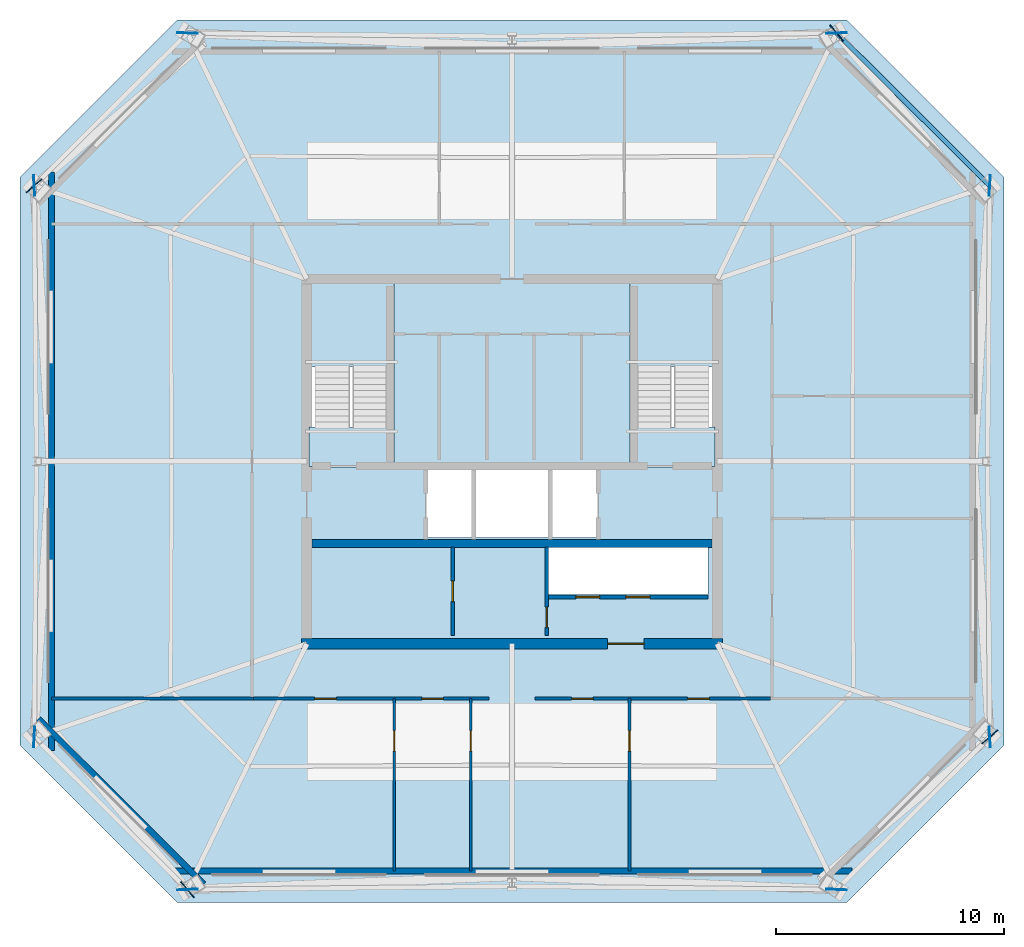
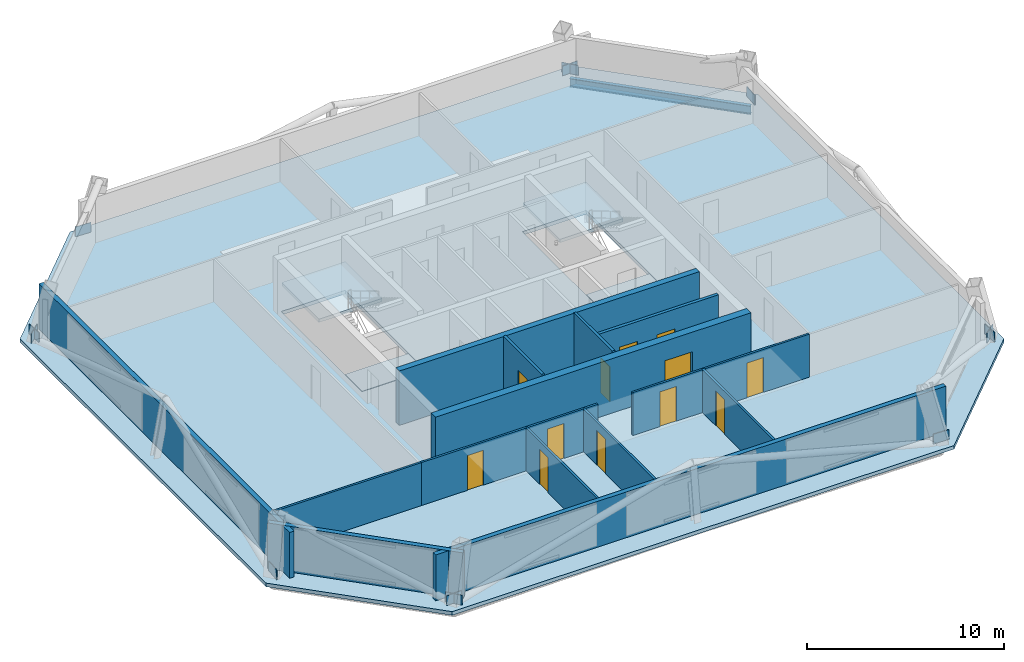
# One storey, part 2 of 6: 14 walls, 12 doors, 12 plates, 5 slabs, 1 beam, 12 openings, 2 elements without a shape of their own.
"""IFC4 building model written with IfcOpenShell, lengths in metres."""

import ifcopenshell
import ifcopenshell.guid

model = None  # the IFC model being written
_history = None  # IfcOwnerHistory: only IFC2X3 demands one
_inside = {}  # id of a spatial element -> (the spatial element, [elements in it])
_under = {}  # id of a project, library or spatial element -> (it, [spatial elements below it])
_declared = {}  # id of a project -> (the project, [libraries it declares])
_typed = {}  # id of a type object -> (the type object, [elements of that type])
_made_of = {}  # id of a material, layer set ... -> (it, [elements and type objects made of it])


def new_model(schema):
    """Start an empty IFC model of exactly this schema.

    Asked for "IFC4X3", IfcOpenShell would pick the latest addendum, in which some entities
    have other attributes; the version numbers below select the first issue.
    IFC2X3 requires an IfcOwnerHistory on every rooted entity: one is made here for all.
    """
    global model, _history
    if schema == "IFC4X3":
        model = ifcopenshell.file(schema_version=(4, 3, 0, 0))
    else:
        model = ifcopenshell.file(schema=schema)
    _inside.clear()
    _under.clear()
    _declared.clear()
    _typed.clear()
    _made_of.clear()
    _history = None
    if model.schema == "IFC2X3":
        org = make("IfcOrganization", Name="unknown")
        user = make(
            "IfcPersonAndOrganization",
            ThePerson=make("IfcPerson", FamilyName="unknown"),
            TheOrganization=org,
        )
        app = make(
            "IfcApplication",
            ApplicationDeveloper=org,
            Version="unknown",
            ApplicationFullName="unknown",
            ApplicationIdentifier="unknown",
        )
        _history = make(
            "IfcOwnerHistory",
            OwningUser=user,
            OwningApplication=app,
            ChangeAction="ADDED",
            CreationDate=0,
        )
    return model


def make(cls, **values):
    """One entity of the class cls with the attributes given. An attribute that is None is left unset."""
    return model.create_entity(
        cls, **{name: value for name, value in values.items() if value is not None}
    )


def rooted(cls, **values):
    """An entity with a GlobalId (a new one), such as an element, a storey or a relation."""
    return make(cls, GlobalId=ifcopenshell.guid.new(), OwnerHistory=_history, **values)


def si_unit(unit_type, name, prefix=None):
    """IfcSIUnit, for example si_unit("LENGTHUNIT", "METRE", prefix="MILLI")."""
    return make("IfcSIUnit", UnitType=unit_type, Prefix=prefix, Name=name)


def assignment(units):
    """IfcUnitAssignment: the units of a project."""
    return None if units is None else make("IfcUnitAssignment", Units=units)


def point(xyz):
    """IfcCartesianPoint."""
    return None if xyz is None else make("IfcCartesianPoint", Coordinates=xyz)


def direction(xyz):
    """IfcDirection."""
    return None if xyz is None else make("IfcDirection", DirectionRatios=xyz)


def frame(location, z_axis=None, x_axis=None):
    """IfcAxis2Placement3D, a coordinate frame: its origin and axes. An axis left out is left unset."""
    return make(
        "IfcAxis2Placement3D",
        Location=point(location),
        Axis=direction(z_axis),
        RefDirection=direction(x_axis),
    )


def frame_2d(location, x_axis=None):
    """IfcAxis2Placement2D, a coordinate frame in the plane: its origin and x axis."""
    return make(
        "IfcAxis2Placement2D", Location=point(location), RefDirection=direction(x_axis)
    )


def origin():
    """The frame at (0, 0, 0) with its axes left unset."""
    return frame((0.0, 0.0, 0.0))


def origin_2d():
    """The frame at (0, 0) in the plane with its x axis left unset."""
    return frame_2d((0.0, 0.0))


def place(relative_to, where):
    """IfcLocalPlacement: puts the frame where relative to a parent placement (None: the world)."""
    return make(
        "IfcLocalPlacement", PlacementRelTo=relative_to, RelativePlacement=where
    )


def context(
    kind, dimensions, precision=None, world=None, true_north=None, identifier=None
):
    """IfcGeometricRepresentationContext, for example the 3D "Model" context."""
    return make(
        "IfcGeometricRepresentationContext",
        ContextIdentifier=identifier,
        ContextType=kind,
        CoordinateSpaceDimension=dimensions,
        Precision=precision,
        WorldCoordinateSystem=world,
        TrueNorth=true_north,
    )


def subcontext(parent, identifier, kind, view, scale=None):
    """IfcGeometricRepresentationSubContext, for example "Body" below "Model"."""
    return make(
        "IfcGeometricRepresentationSubContext",
        ContextIdentifier=identifier,
        ContextType=kind,
        ParentContext=parent,
        TargetScale=scale,
        TargetView=view,
    )


def project(units=None, contexts=None):
    """IfcProject with its units and contexts."""
    return rooted(
        "IfcProject",
        Name="project",
        RepresentationContexts=contexts,
        UnitsInContext=assignment(units),
    )


def spatial(cls, under=None, at=None, **own):
    """A site, building, storey or space (cls), placed at a placement, below another one or the project."""
    s = rooted(cls, ObjectPlacement=at, **own)
    if under is not None:
        _under.setdefault(under.id(), (under, []))[1].append(s)
    return s


def polyline(points):
    """IfcPolyline through the points."""
    return make("IfcPolyline", Points=[point(p) for p in points])


def profile(cls, at=None, kind="AREA", **sizes):
    """A parametric profile (cls). Its sizes go by their IFC names, for example OverallWidth=200.0."""
    return make(cls, ProfileType=kind, Position=at, **sizes)


def rectangle(**sizes):
    """IfcRectangleProfileDef."""
    return profile("IfcRectangleProfileDef", **sizes)


def i_section(**sizes):
    """IfcIShapeProfileDef."""
    return profile("IfcIShapeProfileDef", **sizes)


def outline(outer, holes=None, kind="AREA"):
    """IfcArbitraryClosedProfileDef: a profile drawn as a closed curve; with holes, ...WithVoids."""
    if holes is None:
        return make("IfcArbitraryClosedProfileDef", ProfileType=kind, OuterCurve=outer)
    return make(
        "IfcArbitraryProfileDefWithVoids",
        ProfileType=kind,
        OuterCurve=outer,
        InnerCurves=holes,
    )


def extrude(swept, where, along, depth):
    """IfcExtrudedAreaSolid: the profile swept, set in the frame where, extruded along a direction by depth."""
    return make(
        "IfcExtrudedAreaSolid",
        SweptArea=swept,
        Position=where,
        ExtrudedDirection=direction(along),
        Depth=depth,
    )


def shape(context_of_items, identifier, shape_type, items):
    """IfcShapeRepresentation: the items that make up one representation, for example the "Body"."""
    return make(
        "IfcShapeRepresentation",
        ContextOfItems=context_of_items,
        RepresentationIdentifier=identifier,
        RepresentationType=shape_type,
        Items=items,
    )


def material(Name=None, Category=None):
    """IfcMaterial."""
    return make("IfcMaterial", Name=Name, Category=Category)


def layer(
    of_material, thickness, ventilated=None, Name=None, Category=None, Priority=None
):
    """IfcMaterialLayer: one layer of a wall or slab, of a material (None: an air gap)."""
    return make(
        "IfcMaterialLayer",
        Material=of_material,
        LayerThickness=thickness,
        IsVentilated=ventilated,
        Name=Name,
        Category=Category,
        Priority=Priority,
    )


def layer_set(layers, Name=None):
    """IfcMaterialLayerSet."""
    return make("IfcMaterialLayerSet", MaterialLayers=layers, LayerSetName=Name)


def material_profile(
    of_material, cross_section, Name=None, Category=None, Priority=None
):
    """IfcMaterialProfile: a cross section and its material."""
    return make(
        "IfcMaterialProfile",
        Name=Name,
        Material=of_material,
        Profile=cross_section,
        Priority=Priority,
        Category=Category,
    )


def profile_set(profiles, Name=None, composite=None):
    """IfcMaterialProfileSet."""
    return make(
        "IfcMaterialProfileSet",
        Name=Name,
        MaterialProfiles=profiles,
        CompositeProfile=composite,
    )


def made_of(thing, what):
    """Note that an element or type object is made of a material, layer set ...; save() writes the relation."""
    if what is not None:
        _made_of.setdefault(what.id(), (what, []))[1].append(thing)
    return thing


def type_object(cls, material=None, **own):
    """A type object (cls), such as IfcWallType, which elements share."""
    return made_of(rooted(cls, **own), material)


def element(
    cls,
    number,
    at=None,
    inside=None,
    cuts=None,
    type_object=None,
    material=None,
    context=None,
    identifier="Body",
    shape_type=None,
    held_by="IfcProductDefinitionShape",
    body=None,
    shapes=None,
    **own,
):
    """One element of the class cls, such as IfcWall. Its Tag is "e" and its number.

    at: its placement. inside: the storey or other place that contains it. cuts: it is an
    opening in that element (IfcRelVoidsElement). A single representation is given by context,
    identifier, shape_type and body (its items); several are given by shapes. held_by: the class
    of the entity that holds the representations. save() writes the other relations.
    """
    e = rooted(cls, Tag="e%d" % number, ObjectPlacement=at, **own)
    if body is not None:
        shapes = [shape(context, identifier, shape_type, body)]
    if shapes is not None:
        e.Representation = make(held_by, Representations=shapes)
    if inside is not None:
        _inside.setdefault(inside.id(), (inside, []))[1].append(e)
    if cuts is not None:
        rooted(
            "IfcRelVoidsElement", RelatingBuildingElement=cuts, RelatedOpeningElement=e
        )
    if type_object is not None:
        _typed.setdefault(type_object.id(), (type_object, []))[1].append(e)
    return made_of(e, material)


def fill(opening, filler):
    """IfcRelFillsElement: the door or window that sits in an opening."""
    return rooted(
        "IfcRelFillsElement",
        RelatingOpeningElement=opening,
        RelatedBuildingElement=filler,
    )


def aggregate(whole, parts):
    """IfcRelAggregates: a whole, such as a stair, and the parts it consists of."""
    return rooted("IfcRelAggregates", RelatingObject=whole, RelatedObjects=parts)


def save(model, path):
    """Write the relations noted so far, then the file.

    IfcRelAggregates (storeys below a building ...), IfcRelContainedInSpatialStructure (elements
    in a storey), IfcRelDefinesByType, IfcRelAssociatesMaterial and IfcRelDeclares: one each for
    every whole, place, type object, material and project.
    """
    for whole, parts in _under.values():
        aggregate(whole, parts)
    for where, things in _inside.values():
        rooted(
            "IfcRelContainedInSpatialStructure",
            RelatedElements=things,
            RelatingStructure=where,
        )
    for kind, things in _typed.values():
        rooted("IfcRelDefinesByType", RelatedObjects=things, RelatingType=kind)
    for what, things in _made_of.values():
        rooted("IfcRelAssociatesMaterial", RelatedObjects=things, RelatingMaterial=what)
    for by, libraries in _declared.values():
        rooted("IfcRelDeclares", RelatingContext=by, RelatedDefinitions=libraries)
    model.write(path)


model = new_model("IFC4")

# Units and contexts
model_context = context("Model", 3, precision=1e-05, world=origin(), true_north=direction((0.0, 1.0)))
body_context = subcontext(model_context, "Body", "Model", "MODEL_VIEW")
ifc_project = project(units=[si_unit("LENGTHUNIT", "METRE"), si_unit("AREAUNIT", "SQUARE_METRE"), si_unit("VOLUMEUNIT", "CUBIC_METRE"), si_unit("PLANEANGLEUNIT", "RADIAN"), si_unit("MASSUNIT", "GRAM", prefix="KILO")], contexts=[model_context])

# Site, building, storey
site_placement = place(None, origin())
site = spatial("IfcSite", under=ifc_project, at=site_placement, CompositionType="ELEMENT")
building_placement = place(site_placement, origin())
building = spatial("IfcBuilding", under=site, at=building_placement, Name="Caelvoria Tower", CompositionType="ELEMENT")
storey_placement = place(building_placement, frame((0.0, 0.0, 216.60009765625)))
storey = spatial("IfcBuildingStorey", under=building, at=storey_placement, Name="L57", CompositionType="ELEMENT", Elevation=216.60009765625)

# Beam
ifc_material_1 = material(Name="Structural Steel ASTM A992 Gr.50", Category="steel")
ifc_material_profile = material_profile(ifc_material_1, i_section(OverallWidth=0.208984375, OverallDepth=0.532958984375, WebThickness=0.01025390625, FlangeThickness=0.015625, FilletRadius=0.01611328125, at=origin_2d()), Name="Structural Steel ASTM A992 Gr.50")
ifc_profile_set = profile_set([ifc_material_profile], Name="W530X92 - Structural Steel ASTM A992 Gr.50")
beam_type = type_object("IfcBeamType", Name="Upper Zone Spandrel W530X92", PredefinedType="BEAM", material=ifc_profile_set)
beam_placement = place(storey_placement, frame((66.962890625, 44.0947265625, -0.49169921875), z_axis=(-0.708443803617, 0.705767225873, 0.0), x_axis=(-0.705767225873, -0.708443803617, 0.0)))
element("IfcBeam", 1, at=beam_placement, inside=storey, type_object=beam_type, Name="Perimeter Spandrel Girder L57-05", PredefinedType="BEAM", context=body_context, shape_type="SweptSolid", body=[
    extrude(i_section(OverallWidth=0.208984375, OverallDepth=0.532958984375, WebThickness=0.01025390625, FlangeThickness=0.015625, FilletRadius=0.01611328125, at=origin_2d()), origin(), (0.0, 0.0, 1.0), 9.486328125),
])

# Plates
ifc_material_2 = material(Name="Structural Steel ASTM A572 Gr.50", Category="steel")
ifc_layer_1 = layer(ifc_material_2, 0.0400390625, Name="Structural Steel ASTM A572 Gr.50")
ifc_layer_set_1 = layer_set([ifc_layer_1], Name="Megaframe Node Gusset Plate 900x600x40 - Structural Steel ASTM A572 Gr.50")
plate_type = type_object("IfcPlateType", Name="Megaframe Node Gusset Plate 900x600x40", PredefinedType="USERDEFINED", material=ifc_layer_set_1)
for number, where, z_axis, x_axis, name in (
    (2, (66.962890625, 19.9052734375, 0.019775390625), (0.0, 0.0, 1.0), (-0.765339444972, -0.643626859267, 0.0), "Chamfer Mega Brace Gusset L57 SE"),
    (3, (60.242431640625, 50.789794921875, 0.019775390625), (0.0, 0.0, 1.0), (0.644788236141, -0.764361256563, 0.0), "Chamfer Mega Brace Gusset L57 NE"),
    (4, (25.037109375, 44.0947265625, 0.019775390625), (0.0, 0.0, 1.0), (0.765339444972, 0.643626859267, 0.0), "Chamfer Mega Brace Gusset L57 NW"),
    (5, (31.757568359375, 13.210205078125, 0.019775390625), (0.0, 0.0, 1.0), (-0.644788236141, 0.764361256563, 0.0), "Chamfer Mega Brace Gusset L57 SW"),
    (6, (31.757568359375, 13.210205078125, 0.0498046875), (0.0, 0.0, 1.0), (0.999164708521, 0.040864229431, 0.0), "Megaframe Node Gusset Plate ND-04"),
    (7, (60.242431640625, 13.210205078125, 0.0498046875), (0.0, 0.0, 1.0), (-0.999164708521, 0.040864229431, 0.0), "Megaframe Node Gusset Plate ND-04"),
    (8, (66.962890625, 19.9052734375, 0.0498046875), (0.0, 0.0, 1.0), (-0.05861119864, 0.998280886021, 0.0), "Megaframe Node Gusset Plate ND-04"),
    (9, (66.962890625, 44.0947265625, 0.0498046875), (0.0, 0.0, 1.0), (-0.05861119864, -0.998280886021, 0.0), "Megaframe Node Gusset Plate ND-04"),
    (10, (60.242431640625, 50.789794921875, 0.0498046875), (0.0, 0.0, 1.0), (-0.999164708521, -0.040864229431, 0.0), "Megaframe Node Gusset Plate ND-04"),
    (11, (31.757568359375, 50.789794921875, 0.0498046875), (0.0, 0.0, 1.0), (0.999164708521, -0.040864229431, 0.0), "Megaframe Node Gusset Plate ND-04"),
    (12, (25.037109375, 44.0947265625, 0.0498046875), (0.0, 0.0, 1.0), (0.05861119864, -0.998280886021, 0.0), "Megaframe Node Gusset Plate ND-04"),
    (13, (25.037109375, 19.9052734375, 0.0498046875), (0.0, 0.0, 1.0), (0.05861119864, 0.998280886021, 0.0), "Megaframe Node Gusset Plate ND-04"),
):
    element("IfcPlate", number, at=place(storey_placement, frame(where, z_axis=z_axis, x_axis=x_axis)), inside=storey, type_object=plate_type, Name=name, ObjectType="GUSSET_PLATE", PredefinedType="USERDEFINED", context=body_context, shape_type="SweptSolid", body=[
        extrude(rectangle(XDim=0.89990234375, YDim=0.0400390625, at=origin_2d()), origin(), (0.0, 0.0, 1.0), 0.60009765625),
    ])

# Stair, slabs
ifc_material_3 = material(Name="Concrete C40/50", Category="concrete")
stair_type = type_object("IfcStairType", Name="Core Smokeproof Dogleg Stair Concrete C40/50", PredefinedType="HALF_TURN_STAIR", material=ifc_material_3)
stair_1_placement = place(storey_placement, origin())
stair_1 = element("IfcStair", 14, at=stair_1_placement, inside=storey, type_object=stair_type, Name="ST-01 Smokeproof Exit Stair L57", PredefinedType="HALF_TURN_STAIR")
ifc_layer_2 = layer(ifc_material_3, 0.199951171875, Name="Concrete C40/50")
ifc_layer_set_2 = layer_set([ifc_layer_2], Name="Stair Half and Floor Landing Slab 200 Concrete C40/50 - Concrete C40/50")
slab_type_1 = type_object("IfcSlabType", Name="Stair Half and Floor Landing Slab 200 Concrete C40/50", PredefinedType="LANDING", material=ifc_layer_set_2)
slab_1_placement = place(storey_placement, frame((0.0, 0.0, -0.2001953125)))
slab_1 = element("IfcSlab", 15, at=slab_1_placement, type_object=slab_type_1, Name="ST-01 landing 1", PredefinedType="LANDING", context=body_context, shape_type="SweptSolid", body=[
    extrude(outline(polyline([(37.10009765625, 31.77001953125), (40.800048828125, 31.77001953125), (40.800048828125, 33.5), (37.10009765625, 33.5), (37.10009765625, 31.77001953125)])), origin(), (0.0, 0.0, 1.0), 0.2001953125),
])
slab_2_placement = place(storey_placement, frame((0.0, 0.0, 1.599853515625)))
slab_2 = element("IfcSlab", 16, at=slab_2_placement, type_object=slab_type_1, Name="ST-01 landing 2", PredefinedType="LANDING", context=body_context, shape_type="SweptSolid", body=[
    extrude(outline(polyline([(37.10009765625, 36.14990234375), (40.800048828125, 36.14990234375), (40.800048828125, 39.89990234375), (37.10009765625, 39.89990234375), (37.10009765625, 36.14990234375)])), origin(), (0.0, 0.0, 1.0), 0.199951171875),
])
aggregate(stair_1, [slab_1, slab_2])

stair_2_placement = place(storey_placement, origin())
stair_2 = element("IfcStair", 17, at=stair_2_placement, inside=storey, type_object=stair_type, Name="ST-02 Smokeproof Exit Stair L57", PredefinedType="HALF_TURN_STAIR")
slab_3_placement = place(storey_placement, frame((0.0, 0.0, -0.2001953125)))
slab_3 = element("IfcSlab", 18, at=slab_3_placement, type_object=slab_type_1, Name="ST-02 landing 1", PredefinedType="LANDING", context=body_context, shape_type="SweptSolid", body=[
    extrude(outline(polyline([(51.199951171875, 31.77001953125), (54.89990234375, 31.77001953125), (54.89990234375, 33.5), (51.199951171875, 33.5), (51.199951171875, 31.77001953125)])), origin(), (0.0, 0.0, 1.0), 0.2001953125),
])
slab_4_placement = place(storey_placement, frame((0.0, 0.0, 1.599853515625)))
slab_4 = element("IfcSlab", 19, at=slab_4_placement, type_object=slab_type_1, Name="ST-02 landing 2", PredefinedType="LANDING", context=body_context, shape_type="SweptSolid", body=[
    extrude(outline(polyline([(51.199951171875, 36.14990234375), (54.89990234375, 36.14990234375), (54.89990234375, 39.89990234375), (51.199951171875, 39.89990234375), (51.199951171875, 36.14990234375)])), origin(), (0.0, 0.0, 1.0), 0.199951171875),
])
aggregate(stair_2, [slab_3, slab_4])

# Slab
ifc_layer_3 = layer(ifc_material_3, 0.22509765625, Name="Concrete C40/50")
ifc_layer_set_3 = layer_set([ifc_layer_3], Name="Upper Tower Composite Office Slab 225 - Concrete C40/50")
slab_type_2 = type_object("IfcSlabType", Name="Upper Tower Composite Office Slab 225", PredefinedType="FLOOR", material=ifc_layer_set_3)
slab_5_placement = place(storey_placement, frame((0.0, 0.0, -0.22509765625)))
element("IfcSlab", 20, at=slab_5_placement, inside=storey, type_object=slab_type_2, Name="Level L57 Structural Floor Slab", PredefinedType="FLOOR", context=body_context, shape_type="SweptSolid", body=[
    extrude(outline(polyline([(31.32275390625, 12.636474609375), (60.67724609375, 12.636474609375), (67.58642578125, 19.54541015625), (67.58642578125, 44.45458984375), (60.67724609375, 51.363525390625), (31.32275390625, 51.363525390625), (24.41357421875, 44.45458984375), (24.41357421875, 19.54541015625), (31.32275390625, 12.636474609375)]), holes=[polyline([(37.080078125, 31.75), (40.820068359375, 31.75), (40.820068359375, 39.919921875), (37.080078125, 39.919921875), (37.080078125, 31.75)]), polyline([(51.179931640625, 31.75), (54.919921875, 31.75), (54.919921875, 39.919921875), (51.179931640625, 39.919921875), (51.179931640625, 31.75)]), polyline([(42.25, 28.64990234375), (49.75, 28.64990234375), (49.75, 31.800048828125), (42.25, 31.800048828125), (42.25, 28.64990234375)]), polyline([(47.60009765625, 26.14990234375), (54.60009765625, 26.14990234375), (54.60009765625, 28.25), (47.60009765625, 28.25), (47.60009765625, 26.14990234375)])]), origin(), (0.0, 0.0, 1.0), 0.22509765625),
])

# Wall
ifc_material_4 = material(Name="Concrete C50/60", Category="concrete")
ifc_layer_4 = layer(ifc_material_4, 0.35009765625, Name="Concrete C50/60")
ifc_layer_set_4 = layer_set([ifc_layer_4], Name="Core Internal Shear Wall 350 - Concrete C50/60")
wall_type_1 = type_object("IfcWallType", Name="Core Internal Shear Wall 350", PredefinedType="SHEAR", material=ifc_layer_set_4)
wall_1_placement = place(storey_placement, frame((37.22509765625, 28.39990234375, 0.0), z_axis=(0.0, 0.0, 1.0), x_axis=(1.0, 0.0, 0.0)))
element("IfcWall", 21, at=wall_1_placement, inside=storey, type_object=wall_type_1, Name="Core Shear Wall L57 M2", PredefinedType="SHEAR", context=body_context, shape_type="SweptSolid", body=[
    extrude(rectangle(XDim=17.5498046875, YDim=0.35009765625, at=frame_2d((8.77490234375, 0.0))), origin(), (0.0, 0.0, 1.0), 3.35986328125),
])

# Wall, opening, door
ifc_material_5 = material(Name="Double Gypsum Board on Steel Stud", Category="steel")
ifc_layer_5 = layer(ifc_material_5, 0.14990234375, Name="Double Gypsum Board on Steel Stud")
ifc_layer_set_5 = layer_set([ifc_layer_5], Name="Core Service Acoustic Partition Wall 150 - Double Gypsum Board on Steel Stud")
wall_type_2 = type_object("IfcWallType", Name="Core Service Acoustic Partition Wall 150", PredefinedType="PARTITIONING", material=ifc_layer_set_5)
wall_2_placement = place(storey_placement, frame((43.39990234375, 24.35009765625, 0.0), z_axis=(0.0, 0.0, 1.0), x_axis=(0.0, 1.0, 0.0)))
wall_2 = element("IfcWall", 22, at=wall_2_placement, inside=storey, type_object=wall_type_2, Name="Interior Partition IW-L57-RECL-MID", PredefinedType="PARTITIONING", context=body_context, shape_type="SweptSolid", body=[
    extrude(rectangle(XDim=3.89990234375, YDim=0.14990234375, at=frame_2d((1.949951171875, 0.0))), origin(), (0.0, 0.0, 1.0), 3.375),
])
opening_1_placement = place(wall_2_placement, frame((1.5, 0.0, 0.0)))
opening_1 = element("IfcOpeningElement", 23, at=opening_1_placement, cuts=wall_2, Name="Opening ID-06", PredefinedType="OPENING", context=body_context, shape_type="SweptSolid", body=[
    extrude(rectangle(XDim=0.89990234375, YDim=2.14990234375, at=frame_2d((0.449951171875, 1.074951171875))), frame((0.0, 0.0849609375, 0.0), z_axis=(0.0, -1.0, 0.0), x_axis=(1.0, 0.0, 0.0)), (0.0, 0.0, 1.0), 0.169921875),
])
ifc_material_6 = material(Name="Engineered Andean Oak Veneer Door", Category="wood")
door_type_1 = type_object("IfcDoorType", Name="Interior Timber Door 900x2150", OperationType="NOTDEFINED", PredefinedType="DOOR", material=ifc_material_6)
door_1_placement = place(opening_1_placement, origin())
door_1 = element("IfcDoor", 24, at=door_1_placement, inside=storey, type_object=door_type_1, Name="Interior Door DR-L57-RECL12", OperationType="SINGLE_SWING_LEFT", OverallHeight=2.14990234375, OverallWidth=0.89990234375, PredefinedType="DOOR", context=body_context, shape_type="SweptSolid", body=[
    extrude(rectangle(XDim=0.89990234375, YDim=2.14990234375, at=frame_2d((0.449951171875, 1.074951171875))), frame((0.0, 0.02490234375, 0.0), z_axis=(0.0, -1.0, 0.0), x_axis=(1.0, 0.0, 0.0)), (0.0, 0.0, 1.0), 0.050048828125),
])
fill(opening_1, door_1)

wall_3_placement = place(storey_placement, frame((47.52001953125, 24.35009765625, 0.0), z_axis=(0.0, 0.0, 1.0), x_axis=(0.0, 1.0, 0.0)))
wall_3 = element("IfcWall", 25, at=wall_3_placement, inside=storey, type_object=wall_type_2, Name="Interior Partition IW-L57-RECL2E", PredefinedType="PARTITIONING", context=body_context, shape_type="SweptSolid", body=[
    extrude(rectangle(XDim=3.89990234375, YDim=0.14990234375, at=frame_2d((1.949951171875, 0.0))), origin(), (0.0, 0.0, 1.0), 3.375),
])
opening_2_placement = place(wall_3_placement, frame((0.35009765625, 0.0, 0.0)))
opening_2 = element("IfcOpeningElement", 26, at=opening_2_placement, cuts=wall_3, Name="Opening ID-04", PredefinedType="OPENING", context=body_context, shape_type="SweptSolid", body=[
    extrude(rectangle(XDim=0.89990234375, YDim=2.14990234375, at=frame_2d((0.449951171875, 1.074951171875))), frame((0.0, 0.0849609375, 0.0), z_axis=(0.0, -1.0, 0.0), x_axis=(1.0, 0.0, 0.0)), (0.0, 0.0, 1.0), 0.169921875),
])
ifc_material_7 = material(Name="Acoustic Timber Fire Door", Category="wood")
door_type_2 = type_object("IfcDoorType", Name="Fire Door FD30S 900x2150", OperationType="NOTDEFINED", PredefinedType="DOOR", material=ifc_material_7)
door_2_placement = place(opening_2_placement, origin())
door_2 = element("IfcDoor", 27, at=door_2_placement, inside=storey, type_object=door_type_2, Name="Interior Door DR-L57-RECL2", OperationType="SINGLE_SWING_RIGHT", OverallHeight=2.14990234375, OverallWidth=0.89990234375, PredefinedType="DOOR", context=body_context, shape_type="SweptSolid", body=[
    extrude(rectangle(XDim=0.89990234375, YDim=2.14990234375, at=frame_2d((0.449951171875, 1.074951171875))), frame((0.0, 0.02490234375, 0.0), z_axis=(0.0, -1.0, 0.0), x_axis=(1.0, 0.0, 0.0)), (0.0, 0.0, 1.0), 0.050048828125),
])
fill(opening_2, door_2)

# Wall, openings, doors
ifc_material_8 = material(Name="Concrete Block and Fireboard Assembly", Category="concrete")
ifc_layer_6 = layer(ifc_material_8, 0.179931640625, Name="Concrete Block and Fireboard Assembly")
ifc_layer_set_6 = layer_set([ifc_layer_6], Name="Fire-Rated Hoistway Partition Wall 180 - Concrete Block and Fireboard Assembly")
wall_type_3 = type_object("IfcWallType", Name="Fire-Rated Hoistway Partition Wall 180", PredefinedType="PARTITIONING", material=ifc_layer_set_6)
wall_4_placement = place(storey_placement, frame((47.60009765625, 26.050048828125, 0.0), z_axis=(0.0, 0.0, 1.0), x_axis=(1.0, 0.0, 0.0)))
wall_4 = element("IfcWall", 28, at=wall_4_placement, inside=storey, type_object=wall_type_3, Name="Interior Partition IW-L57-LFRONT", PredefinedType="PARTITIONING", context=body_context, shape_type="SweptSolid", body=[
    extrude(rectangle(XDim=7.0, YDim=0.179931640625, at=frame_2d((3.5, 0.0))), origin(), (0.0, 0.0, 1.0), 3.375),
])
opening_3_placement = place(wall_4_placement, frame((1.199951171875, 0.0, 0.0)))
opening_3 = element("IfcOpeningElement", 29, at=opening_3_placement, cuts=wall_4, Name="Opening LD-01", PredefinedType="OPENING", context=body_context, shape_type="SweptSolid", body=[
    extrude(rectangle(XDim=1.050048828125, YDim=2.14990234375, at=frame_2d((0.52490234375, 1.074951171875))), frame((0.0, 0.099853515625, 0.0), z_axis=(0.0, -1.0, 0.0), x_axis=(1.0, 0.0, 0.0)), (0.0, 0.0, 1.0), 0.199951171875),
])
opening_4_placement = place(wall_4_placement, frame((3.39990234375, 0.0, 0.0)))
opening_4 = element("IfcOpeningElement", 30, at=opening_4_placement, cuts=wall_4, Name="Opening LD-01", PredefinedType="OPENING", context=body_context, shape_type="SweptSolid", body=[
    extrude(rectangle(XDim=1.050048828125, YDim=2.14990234375, at=frame_2d((0.52490234375, 1.074951171875))), frame((0.0, 0.099853515625, 0.0), z_axis=(0.0, -1.0, 0.0), x_axis=(1.0, 0.0, 0.0)), (0.0, 0.0, 1.0), 0.199951171875),
])
ifc_material_9 = material(Name="Brushed Bronze Stainless Sliding Landing Door", Category="aluminium")
door_type_3 = type_object("IfcDoorType", Name="Lift Landing Sliding Door 1100x2150", OperationType="NOTDEFINED", PredefinedType="DOOR", material=ifc_material_9)
door_3_placement = place(opening_3_placement, origin())
door_3 = element("IfcDoor", 31, at=door_3_placement, inside=storey, type_object=door_type_3, Name="Interior Door LD-L57-PH1", OperationType="SLIDING_TO_LEFT", OverallHeight=2.14990234375, OverallWidth=1.050048828125, PredefinedType="DOOR", context=body_context, shape_type="SweptSolid", body=[
    extrude(rectangle(XDim=1.050048828125, YDim=2.14990234375, at=frame_2d((0.52490234375, 1.074951171875))), frame((0.0, 0.02490234375, 0.0), z_axis=(0.0, -1.0, 0.0), x_axis=(1.0, 0.0, 0.0)), (0.0, 0.0, 1.0), 0.050048828125),
])
fill(opening_3, door_3)
door_4_placement = place(opening_4_placement, origin())
door_4 = element("IfcDoor", 32, at=door_4_placement, inside=storey, type_object=door_type_3, Name="Interior Door LD-L57-PH2", OperationType="SLIDING_TO_RIGHT", OverallHeight=2.14990234375, OverallWidth=1.050048828125, PredefinedType="DOOR", context=body_context, shape_type="SweptSolid", body=[
    extrude(rectangle(XDim=1.050048828125, YDim=2.14990234375, at=frame_2d((0.52490234375, 1.074951171875))), frame((0.0, 0.02490234375, 0.0), z_axis=(0.0, -1.0, 0.0), x_axis=(1.0, 0.0, 0.0)), (0.0, 0.0, 1.0), 0.050048828125),
])
fill(opening_4, door_4)

# Wall, opening, door
ifc_material_10 = material(Name="Acoustic Gypsum Board on Light-Gauge Stud", Category="gypsum")
ifc_layer_7 = layer(ifc_material_10, 0.1201171875, Name="Acoustic Gypsum Board on Light-Gauge Stud")
ifc_layer_set_7 = layer_set([ifc_layer_7], Name="Tenant Suite Acoustic Partition Wall 120 - Acoustic Gypsum Board on Light-Gauge Stud")
wall_type_4 = type_object("IfcWallType", Name="Tenant Suite Acoustic Partition Wall 120", PredefinedType="PARTITIONING", material=ifc_layer_set_7)
wall_5_placement = place(storey_placement, frame((40.83935546875, 21.590087890625, 0.0), z_axis=(0.0, 0.0, 1.0), x_axis=(0.0, -1.0, 0.0)))
wall_5 = element("IfcWall", 33, at=wall_5_placement, inside=storey, type_object=wall_type_4, Name="Interior Partition IW-L57-SD-00-0", PredefinedType="PARTITIONING", context=body_context, shape_type="SweptSolid", body=[
    extrude(rectangle(XDim=7.57373046875, YDim=0.1201171875, at=frame_2d((3.786865234375, 0.0))), origin(), (0.0, 0.0, 1.0), 2.65478515625),
])
opening_5_placement = place(wall_5_placement, frame((1.39990234375, 0.0, 0.0)))
opening_5 = element("IfcOpeningElement", 34, at=opening_5_placement, cuts=wall_5, Name="Opening ID-06", PredefinedType="OPENING", context=body_context, shape_type="SweptSolid", body=[
    extrude(rectangle(XDim=0.89990234375, YDim=2.14990234375, at=frame_2d((0.449951171875, 1.074951171875))), frame((0.0, 0.070068359375, 0.0), z_axis=(0.0, -1.0, 0.0), x_axis=(1.0, 0.0, 0.0)), (0.0, 0.0, 1.0), 0.14013671875),
])
door_5_placement = place(opening_5_placement, origin())
door_5 = element("IfcDoor", 35, at=door_5_placement, inside=storey, type_object=door_type_1, Name="Interior Door DR-L57-SM-00-0", OperationType="SINGLE_SWING_RIGHT", OverallHeight=2.14990234375, OverallWidth=0.89990234375, PredefinedType="DOOR", context=body_context, shape_type="SweptSolid", body=[
    extrude(rectangle(XDim=0.89990234375, YDim=2.14990234375, at=frame_2d((0.449951171875, 1.074951171875))), frame((0.0, 0.02490234375, 0.0), z_axis=(0.0, -1.0, 0.0), x_axis=(1.0, 0.0, 0.0)), (0.0, 0.0, 1.0), 0.050048828125),
])
fill(opening_5, door_5)

wall_6_placement = place(storey_placement, frame((44.19580078125, 21.590087890625, 0.0), z_axis=(0.0, 0.0, 1.0), x_axis=(0.0, -1.0, 0.0)))
wall_6 = element("IfcWall", 36, at=wall_6_placement, inside=storey, type_object=wall_type_4, Name="Interior Partition IW-L57-SD-01-0", PredefinedType="PARTITIONING", context=body_context, shape_type="SweptSolid", body=[
    extrude(rectangle(XDim=7.57373046875, YDim=0.1201171875, at=frame_2d((3.786865234375, 0.0))), origin(), (0.0, 0.0, 1.0), 2.65478515625),
])
opening_6_placement = place(wall_6_placement, frame((1.39990234375, 0.0, 0.0)))
opening_6 = element("IfcOpeningElement", 37, at=opening_6_placement, cuts=wall_6, Name="Opening ID-06", PredefinedType="OPENING", context=body_context, shape_type="SweptSolid", body=[
    extrude(rectangle(XDim=0.89990234375, YDim=2.14990234375, at=frame_2d((0.449951171875, 1.074951171875))), frame((0.0, 0.070068359375, 0.0), z_axis=(0.0, -1.0, 0.0), x_axis=(1.0, 0.0, 0.0)), (0.0, 0.0, 1.0), 0.14013671875),
])
door_6_placement = place(opening_6_placement, origin())
door_6 = element("IfcDoor", 38, at=door_6_placement, inside=storey, type_object=door_type_1, Name="Interior Door DR-L57-SM-01-0", OperationType="SINGLE_SWING_LEFT", OverallHeight=2.14990234375, OverallWidth=0.89990234375, PredefinedType="DOOR", context=body_context, shape_type="SweptSolid", body=[
    extrude(rectangle(XDim=0.89990234375, YDim=2.14990234375, at=frame_2d((0.449951171875, 1.074951171875))), frame((0.0, 0.02490234375, 0.0), z_axis=(0.0, -1.0, 0.0), x_axis=(1.0, 0.0, 0.0)), (0.0, 0.0, 1.0), 0.050048828125),
])
fill(opening_6, door_6)

wall_7_placement = place(storey_placement, frame((51.155517578125, 21.590087890625, 0.0), z_axis=(0.0, 0.0, 1.0), x_axis=(0.0, -1.0, 0.0)))
wall_7 = element("IfcWall", 39, at=wall_7_placement, inside=storey, type_object=wall_type_4, Name="Interior Partition IW-L57-SD-02-0", PredefinedType="PARTITIONING", context=body_context, shape_type="SweptSolid", body=[
    extrude(rectangle(XDim=7.57373046875, YDim=0.1201171875, at=frame_2d((3.786865234375, 0.0))), origin(), (0.0, 0.0, 1.0), 2.65478515625),
])
opening_7_placement = place(wall_7_placement, frame((1.39990234375, 0.0, 0.0)))
opening_7 = element("IfcOpeningElement", 40, at=opening_7_placement, cuts=wall_7, Name="Opening ID-06", PredefinedType="OPENING", context=body_context, shape_type="SweptSolid", body=[
    extrude(rectangle(XDim=0.89990234375, YDim=2.14990234375, at=frame_2d((0.449951171875, 1.074951171875))), frame((0.0, 0.070068359375, 0.0), z_axis=(0.0, -1.0, 0.0), x_axis=(1.0, 0.0, 0.0)), (0.0, 0.0, 1.0), 0.14013671875),
])
door_7_placement = place(opening_7_placement, origin())
door_7 = element("IfcDoor", 41, at=door_7_placement, inside=storey, type_object=door_type_1, Name="Interior Door DR-L57-SM-02-0", OperationType="SINGLE_SWING_RIGHT", OverallHeight=2.14990234375, OverallWidth=0.89990234375, PredefinedType="DOOR", context=body_context, shape_type="SweptSolid", body=[
    extrude(rectangle(XDim=0.89990234375, YDim=2.14990234375, at=frame_2d((0.449951171875, 1.074951171875))), frame((0.0, 0.02490234375, 0.0), z_axis=(0.0, -1.0, 0.0), x_axis=(1.0, 0.0, 0.0)), (0.0, 0.0, 1.0), 0.050048828125),
])
fill(opening_7, door_7)

# Wall, openings, doors
wall_8_placement = place(storey_placement, frame((34.64990234375, 21.590087890625, 0.0), z_axis=(0.0, 0.0, 1.0), x_axis=(1.0, 0.0, 0.0)))
wall_8 = element("IfcWall", 42, at=wall_8_placement, inside=storey, type_object=wall_type_4, Name="Interior Partition IW-L57-SCW-0", PredefinedType="PARTITIONING", context=body_context, shape_type="SweptSolid", body=[
    extrude(rectangle(XDim=10.330078125, YDim=0.1201171875, at=frame_2d((5.1650390625, 0.0))), origin(), (0.0, 0.0, 1.0), 2.65478515625),
])
opening_8_placement = place(wall_8_placement, frame((2.689697265625, 0.0, 0.0)))
opening_8 = element("IfcOpeningElement", 43, at=opening_8_placement, cuts=wall_8, Name="Opening ID-05", PredefinedType="OPENING", context=body_context, shape_type="SweptSolid", body=[
    extrude(rectangle(XDim=0.949951171875, YDim=2.14990234375, at=frame_2d((0.47509765625, 1.074951171875))), frame((0.0, 0.070068359375, 0.0), z_axis=(0.0, -1.0, 0.0), x_axis=(1.0, 0.0, 0.0)), (0.0, 0.0, 1.0), 0.14013671875),
])
opening_9_placement = place(wall_8_placement, frame((7.392578125, 0.0, 0.0)))
opening_9 = element("IfcOpeningElement", 44, at=opening_9_placement, cuts=wall_8, Name="Opening ID-05", PredefinedType="OPENING", context=body_context, shape_type="SweptSolid", body=[
    extrude(rectangle(XDim=0.949951171875, YDim=2.14990234375, at=frame_2d((0.47509765625, 1.074951171875))), frame((0.0, 0.070068359375, 0.0), z_axis=(0.0, -1.0, 0.0), x_axis=(1.0, 0.0, 0.0)), (0.0, 0.0, 1.0), 0.14013671875),
])
door_type_4 = type_object("IfcDoorType", Name="Interior Timber Door 950x2150", OperationType="NOTDEFINED", PredefinedType="DOOR", material=ifc_material_6)
door_8_placement = place(opening_8_placement, origin())
door_8 = element("IfcDoor", 45, at=door_8_placement, inside=storey, type_object=door_type_4, Name="Interior Door DR-L57-SC-00-0", OperationType="SINGLE_SWING_RIGHT", OverallHeight=2.14990234375, OverallWidth=0.949951171875, PredefinedType="DOOR", context=body_context, shape_type="SweptSolid", body=[
    extrude(rectangle(XDim=0.949951171875, YDim=2.14990234375, at=frame_2d((0.47509765625, 1.074951171875))), frame((0.0, 0.02490234375, 0.0), z_axis=(0.0, -1.0, 0.0), x_axis=(1.0, 0.0, 0.0)), (0.0, 0.0, 1.0), 0.050048828125),
])
fill(opening_8, door_8)
door_9_placement = place(opening_9_placement, origin())
door_9 = element("IfcDoor", 46, at=door_9_placement, inside=storey, type_object=door_type_4, Name="Interior Door DR-L57-SC-01-0", OperationType="SINGLE_SWING_LEFT", OverallHeight=2.14990234375, OverallWidth=0.949951171875, PredefinedType="DOOR", context=body_context, shape_type="SweptSolid", body=[
    extrude(rectangle(XDim=0.949951171875, YDim=2.14990234375, at=frame_2d((0.47509765625, 1.074951171875))), frame((0.0, 0.02490234375, 0.0), z_axis=(0.0, -1.0, 0.0), x_axis=(1.0, 0.0, 0.0)), (0.0, 0.0, 1.0), 0.050048828125),
])
fill(opening_9, door_9)

wall_9_placement = place(storey_placement, frame((47.02001953125, 21.590087890625, 0.0), z_axis=(0.0, 0.0, 1.0), x_axis=(1.0, 0.0, 0.0)))
wall_9 = element("IfcWall", 47, at=wall_9_placement, inside=storey, type_object=wall_type_4, Name="Interior Partition IW-L57-SCW-1", PredefinedType="PARTITIONING", context=body_context, shape_type="SweptSolid", body=[
    extrude(rectangle(XDim=10.330078125, YDim=0.1201171875, at=frame_2d((5.1650390625, 0.0))), origin(), (0.0, 0.0, 1.0), 2.65478515625),
])
opening_10_placement = place(wall_9_placement, frame((1.5927734375, 0.0, 0.0)))
opening_10 = element("IfcOpeningElement", 48, at=opening_10_placement, cuts=wall_9, Name="Opening ID-05", PredefinedType="OPENING", context=body_context, shape_type="SweptSolid", body=[
    extrude(rectangle(XDim=0.949951171875, YDim=2.14990234375, at=frame_2d((0.47509765625, 1.074951171875))), frame((0.0, 0.070068359375, 0.0), z_axis=(0.0, -1.0, 0.0), x_axis=(1.0, 0.0, 0.0)), (0.0, 0.0, 1.0), 0.14013671875),
])
opening_11_placement = place(wall_9_placement, frame((6.687744140625, 0.0, 0.0)))
opening_11 = element("IfcOpeningElement", 49, at=opening_11_placement, cuts=wall_9, Name="Opening ID-05", PredefinedType="OPENING", context=body_context, shape_type="SweptSolid", body=[
    extrude(rectangle(XDim=0.949951171875, YDim=2.14990234375, at=frame_2d((0.47509765625, 1.074951171875))), frame((0.0, 0.070068359375, 0.0), z_axis=(0.0, -1.0, 0.0), x_axis=(1.0, 0.0, 0.0)), (0.0, 0.0, 1.0), 0.14013671875),
])
door_10_placement = place(opening_10_placement, origin())
door_10 = element("IfcDoor", 50, at=door_10_placement, inside=storey, type_object=door_type_4, Name="Interior Door DR-L57-SC-02-0", OperationType="SINGLE_SWING_RIGHT", OverallHeight=2.14990234375, OverallWidth=0.949951171875, PredefinedType="DOOR", context=body_context, shape_type="SweptSolid", body=[
    extrude(rectangle(XDim=0.949951171875, YDim=2.14990234375, at=frame_2d((0.47509765625, 1.074951171875))), frame((0.0, 0.02490234375, 0.0), z_axis=(0.0, -1.0, 0.0), x_axis=(1.0, 0.0, 0.0)), (0.0, 0.0, 1.0), 0.050048828125),
])
fill(opening_10, door_10)
door_11_placement = place(opening_11_placement, origin())
door_11 = element("IfcDoor", 51, at=door_11_placement, inside=storey, type_object=door_type_4, Name="Interior Door DR-L57-SC-03-0", OperationType="SINGLE_SWING_LEFT", OverallHeight=2.14990234375, OverallWidth=0.949951171875, PredefinedType="DOOR", context=body_context, shape_type="SweptSolid", body=[
    extrude(rectangle(XDim=0.949951171875, YDim=2.14990234375, at=frame_2d((0.47509765625, 1.074951171875))), frame((0.0, 0.02490234375, 0.0), z_axis=(0.0, -1.0, 0.0), x_axis=(1.0, 0.0, 0.0)), (0.0, 0.0, 1.0), 0.050048828125),
])
fill(opening_11, door_11)

# Wall
wall_10_placement = place(storey_placement, frame((34.64990234375, 21.590087890625, 0.0), z_axis=(0.0, 0.0, 1.0), x_axis=(-1.0, 0.0, 0.0)))
element("IfcWall", 52, at=wall_10_placement, inside=storey, type_object=wall_type_4, Name="Interior Partition IW-L57-BSW-0", PredefinedType="PARTITIONING", context=body_context, shape_type="SweptSolid", body=[
    extrude(rectangle(XDim=8.856201171875, YDim=0.1201171875, at=frame_2d((4.42822265625, 0.0))), origin(), (0.0, 0.0, 1.0), 2.65478515625),
])

# Wall, opening, door
ifc_layer_8 = layer(ifc_material_4, 0.449951171875, Name="Concrete C50/60")
ifc_layer_set_8 = layer_set([ifc_layer_8], Name="Upper Core Shear Wall 450 - Concrete C50/60")
wall_type_5 = type_object("IfcWallType", Name="Upper Core Shear Wall 450", PredefinedType="SHEAR", material=ifc_layer_set_8)
wall_11_placement = place(storey_placement, frame((36.77490234375, 24.0, 0.0), z_axis=(0.0, 0.0, 1.0), x_axis=(1.0, 0.0, 0.0)))
wall_11 = element("IfcWall", 53, at=wall_11_placement, inside=storey, type_object=wall_type_5, Name="Core Shear Wall L57 S", PredefinedType="SHEAR", context=body_context, shape_type="SweptSolid", body=[
    extrude(rectangle(XDim=18.4501953125, YDim=0.449951171875, at=frame_2d((9.22509765625, 0.0))), origin(), (0.0, 0.0, 1.0), 3.35986328125),
])
opening_12_placement = place(wall_11_placement, frame((13.425048828125, 0.0, 0.0)))
opening_12 = element("IfcOpeningElement", 54, at=opening_12_placement, cuts=wall_11, Name="Opening ID-08", PredefinedType="OPENING", context=body_context, shape_type="SweptSolid", body=[
    extrude(rectangle(XDim=1.60009765625, YDim=2.14990234375, at=frame_2d((0.800048828125, 1.074951171875))), frame((0.0, 0.23486328125, 0.0), z_axis=(0.0, -1.0, 0.0), x_axis=(1.0, 0.0, 0.0)), (0.0, 0.0, 1.0), 0.469970703125),
])
ifc_material_11 = material(Name="Bronze-Framed Fire-Rated Glazed Double Door", Category="aluminium")
door_type_5 = type_object("IfcDoorType", Name="Double Lobby Glazed Door 1600x2200", OperationType="NOTDEFINED", PredefinedType="DOOR", material=ifc_material_11)
door_12_placement = place(opening_12_placement, origin())
door_12 = element("IfcDoor", 55, at=door_12_placement, inside=storey, type_object=door_type_5, Name="Core Door DR-L57-LLOB-S2", OperationType="DOUBLE_DOOR_SINGLE_SWING", OverallHeight=2.14990234375, OverallWidth=1.60009765625, PredefinedType="DOOR", context=body_context, shape_type="SweptSolid", body=[
    extrude(rectangle(XDim=1.60009765625, YDim=2.14990234375, at=frame_2d((0.800048828125, 1.074951171875))), frame((0.0, 0.02490234375, 0.0), z_axis=(0.0, -1.0, 0.0), x_axis=(1.0, 0.0, 0.0)), (0.0, 0.0, 1.0), 0.050048828125),
])
fill(opening_12, door_12)

# Walls
ifc_material_12 = material(Name="Precast Concrete C40/50 with Bronze Cladding", Category="concrete")
ifc_layer_9 = layer(ifc_material_12, 0.264892578125, Name="Precast Concrete C40/50 with Bronze Cladding")
ifc_layer_set_9 = layer_set([ifc_layer_9], Name="Upper Taper Precast Concrete C40/50 Bronze Facade Wall 265 - Precast Concrete C40/50 with Bronze Cladding")
wall_type_6 = type_object("IfcWallType", Name="Upper Taper Precast Concrete C40/50 Bronze Facade Wall 265", PredefinedType="STANDARD", material=ifc_layer_set_9)
wall_12_placement = place(storey_placement, frame((31.082763671875, 14.016357421875, 0.0), z_axis=(0.0, 0.0, 1.0), x_axis=(1.0, 0.0, 0.0)))
element("IfcWall", 56, at=wall_12_placement, inside=storey, type_object=wall_type_6, Name="Exterior Facade Wall L57-E0", PredefinedType="STANDARD", context=body_context, shape_type="SweptSolid", body=[
    extrude(rectangle(XDim=29.83447265625, YDim=0.264892578125, at=frame_2d((14.917236328125, 0.0))), origin(), (0.0, 0.0, 1.0), 2.831787109375),
])
wall_13_placement = place(storey_placement, frame((25.793701171875, 44.694580078125, 0.0), z_axis=(0.0, 0.0, 1.0), x_axis=(0.0, -1.0, 0.0)))
element("IfcWall", 57, at=wall_13_placement, inside=storey, type_object=wall_type_6, Name="Exterior Facade Wall L57-E6", PredefinedType="STANDARD", context=body_context, shape_type="SweptSolid", body=[
    extrude(rectangle(XDim=25.38916015625, YDim=0.264892578125, at=frame_2d((12.694580078125, 0.0))), origin(), (0.0, 0.0, 1.0), 2.831787109375),
])
wall_14_placement = place(storey_placement, frame((25.2197265625, 20.69091796875, 0.0), z_axis=(0.0, 0.0, 1.0), x_axis=(0.707106781187, -0.707106781187, 0.0)))
element("IfcWall", 58, at=wall_14_placement, inside=storey, type_object=wall_type_6, Name="Exterior Facade Wall L57-E7", PredefinedType="STANDARD", context=body_context, shape_type="SweptSolid", body=[
    extrude(rectangle(XDim=10.2509765625, YDim=0.264892578125, at=frame_2d((5.12548828125, 0.0))), origin(), (0.0, 0.0, 1.0), 2.831787109375),
])

save(model, "model.ifc")
